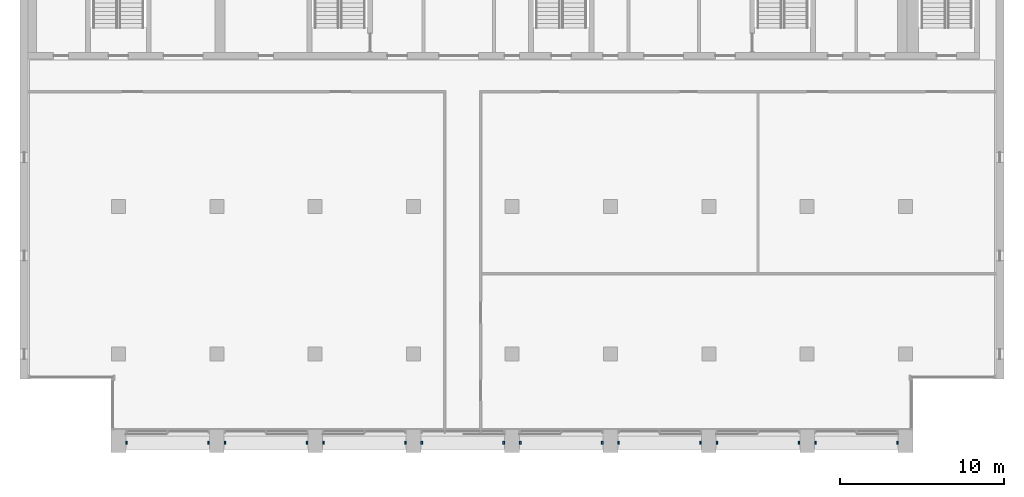
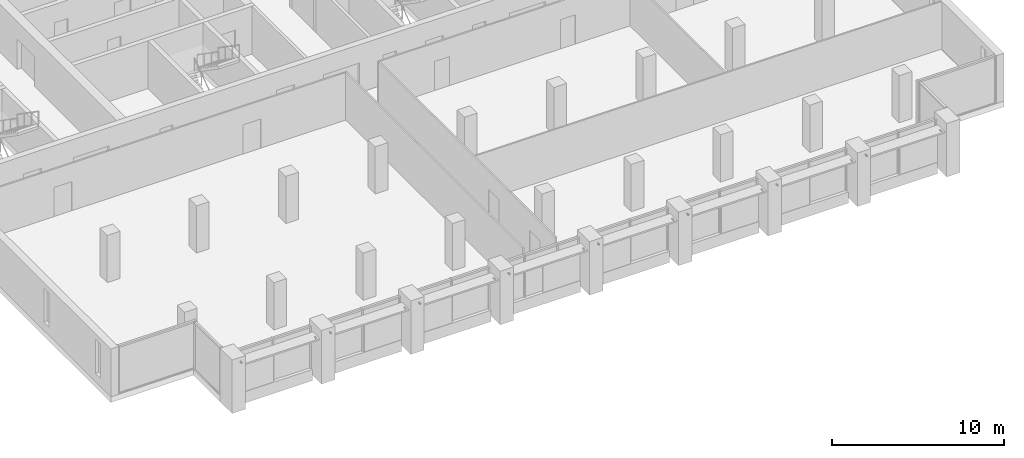
# One storey, part 13 of 14: 16 discrete accessories.
"""IFC4 building model written with IfcOpenShell, lengths in metres."""

from ifc_helpers import new_model, si_unit, direction, frame, origin, origin_2d, place, context, subcontext, project, spatial, rectangle, extrude, element, save


model = new_model("IFC4")

# Units and contexts
model_context = context("Model", 3, precision=1e-05, world=origin(), true_north=direction((0.0, 1.0)))
body_context = subcontext(model_context, "Body", "Model", "MODEL_VIEW")
ifc_project = project(units=[si_unit("LENGTHUNIT", "METRE"), si_unit("AREAUNIT", "SQUARE_METRE"), si_unit("VOLUMEUNIT", "CUBIC_METRE"), si_unit("PLANEANGLEUNIT", "RADIAN"), si_unit("MASSUNIT", "GRAM", prefix="KILO")], contexts=[model_context])

# Site, building, storey
site_placement = place(None, origin())
site = spatial("IfcSite", under=ifc_project, at=site_placement, CompositionType="ELEMENT")
building_placement = place(site_placement, origin())
building = spatial("IfcBuilding", under=site, at=building_placement, Name="Calvaro Tower", CompositionType="ELEMENT")
storey_placement = place(building_placement, frame((0.0, 0.0, 246.949951171875)))
storey = spatial("IfcBuildingStorey", under=building, at=storey_placement, Name="L62", CompositionType="ELEMENT", Elevation=246.949951171875)

# Discrete accessories
for number, where, z_axis, x_axis, name in (
    (1, (12.5, 4.60009765625, 2.5), (0.0, 0.0, 1.0), (1.0, 0.0, 0.0), "Brise-soleil bracket"),
    (2, (17.5, 4.60009765625, 2.5), (0.0, 0.0, 1.0), (1.0, 0.0, 0.0), "Brise-soleil bracket"),
    (3, (18.5, 4.60009765625, 2.5), (0.0, 0.0, 1.0), (1.0, 0.0, 0.0), "Brise-soleil bracket"),
    (4, (23.5, 4.60009765625, 2.5), (0.0, 0.0, 1.0), (1.0, 0.0, 0.0), "Brise-soleil bracket"),
    (5, (24.5, 4.60009765625, 2.5), (0.0, 0.0, 1.0), (1.0, 0.0, 0.0), "Brise-soleil bracket"),
    (6, (29.5, 4.60009765625, 2.5), (0.0, 0.0, 1.0), (1.0, 0.0, 0.0), "Brise-soleil bracket"),
    (7, (30.5, 4.60009765625, 2.5), (0.0, 0.0, 1.0), (1.0, 0.0, 0.0), "Brise-soleil bracket"),
    (8, (35.5, 4.60009765625, 2.5), (0.0, 0.0, 1.0), (1.0, 0.0, 0.0), "Brise-soleil bracket"),
    (9, (36.5, 4.60009765625, 2.5), (0.0, 0.0, 1.0), (1.0, 0.0, 0.0), "Brise-soleil bracket"),
    (10, (41.5, 4.60009765625, 2.5), (0.0, 0.0, 1.0), (1.0, 0.0, 0.0), "Brise-soleil bracket"),
    (11, (42.5, 4.60009765625, 2.5), (0.0, 0.0, 1.0), (1.0, 0.0, 0.0), "Brise-soleil bracket"),
    (12, (47.5, 4.60009765625, 2.5), (0.0, 0.0, 1.0), (1.0, 0.0, 0.0), "Brise-soleil bracket"),
    (13, (48.5, 4.60009765625, 2.5), (0.0, 0.0, 1.0), (1.0, 0.0, 0.0), "Brise-soleil bracket"),
    (14, (53.5, 4.60009765625, 2.5), (0.0, 0.0, 1.0), (1.0, 0.0, 0.0), "Brise-soleil bracket"),
    (15, (54.5, 4.60009765625, 2.5), (0.0, 0.0, 1.0), (1.0, 0.0, 0.0), "Brise-soleil bracket"),
    (16, (59.5, 4.60009765625, 2.5), (0.0, 0.0, 1.0), (1.0, 0.0, 0.0), "Brise-soleil bracket"),
):
    element("IfcDiscreteAccessory", number, at=place(storey_placement, frame(where, z_axis=z_axis, x_axis=x_axis)), inside=storey, Name=name, PredefinedType="BRACKET", context=body_context, shape_type="SweptSolid", body=[
        extrude(rectangle(XDim=0.10009765625, YDim=0.199951171875, at=origin_2d()), origin(), (0.0, 0.0, 1.0), 0.10009765625),
    ])

save(model, "model.ifc")
